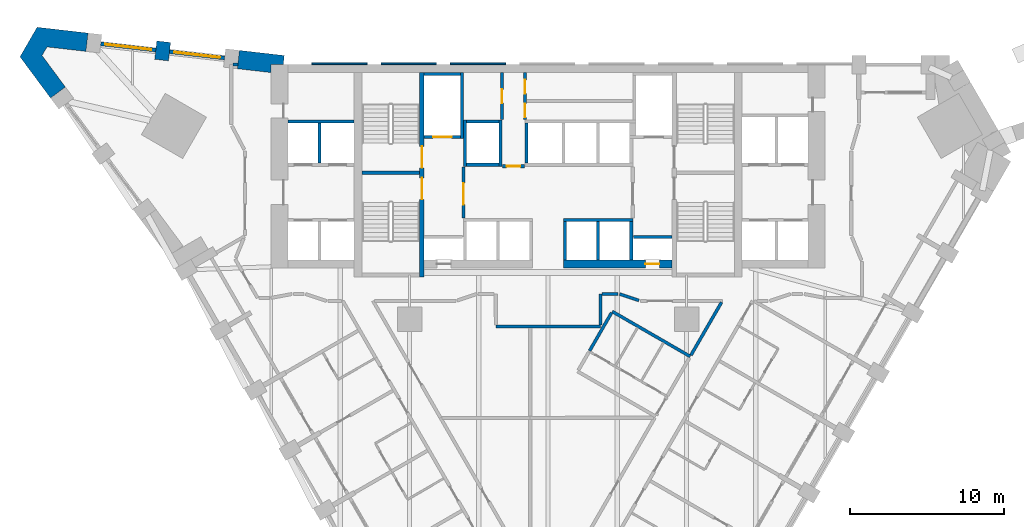
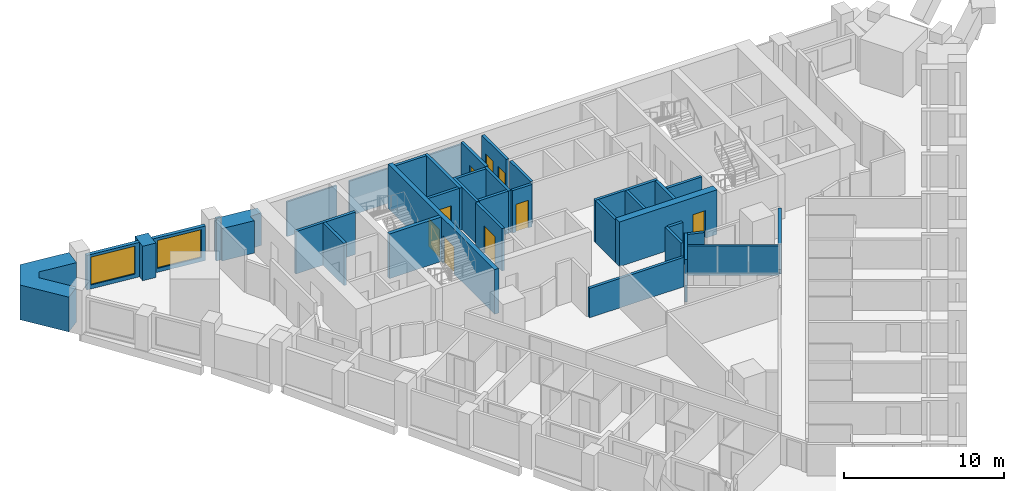
# One storey, part 8 of 12: 38 walls, 9 doors, 2 windows, 11 openings.
"""IFC4 building model written with IfcOpenShell, lengths in metres."""

import ifcopenshell
import ifcopenshell.guid

model = None  # the IFC model being written
_history = None  # IfcOwnerHistory: only IFC2X3 demands one
_inside = {}  # id of a spatial element -> (the spatial element, [elements in it])
_under = {}  # id of a project, library or spatial element -> (it, [spatial elements below it])
_declared = {}  # id of a project -> (the project, [libraries it declares])
_typed = {}  # id of a type object -> (the type object, [elements of that type])
_made_of = {}  # id of a material, layer set ... -> (it, [elements and type objects made of it])


def new_model(schema):
    """Start an empty IFC model of exactly this schema.

    Asked for "IFC4X3", IfcOpenShell would pick the latest addendum, in which some entities
    have other attributes; the version numbers below select the first issue.
    IFC2X3 requires an IfcOwnerHistory on every rooted entity: one is made here for all.
    """
    global model, _history
    if schema == "IFC4X3":
        model = ifcopenshell.file(schema_version=(4, 3, 0, 0))
    else:
        model = ifcopenshell.file(schema=schema)
    _inside.clear()
    _under.clear()
    _declared.clear()
    _typed.clear()
    _made_of.clear()
    _history = None
    if model.schema == "IFC2X3":
        org = make("IfcOrganization", Name="unknown")
        user = make(
            "IfcPersonAndOrganization",
            ThePerson=make("IfcPerson", FamilyName="unknown"),
            TheOrganization=org,
        )
        app = make(
            "IfcApplication",
            ApplicationDeveloper=org,
            Version="unknown",
            ApplicationFullName="unknown",
            ApplicationIdentifier="unknown",
        )
        _history = make(
            "IfcOwnerHistory",
            OwningUser=user,
            OwningApplication=app,
            ChangeAction="ADDED",
            CreationDate=0,
        )
    return model


def make(cls, **values):
    """One entity of the class cls with the attributes given. An attribute that is None is left unset."""
    return model.create_entity(
        cls, **{name: value for name, value in values.items() if value is not None}
    )


def rooted(cls, **values):
    """An entity with a GlobalId (a new one), such as an element, a storey or a relation."""
    return make(cls, GlobalId=ifcopenshell.guid.new(), OwnerHistory=_history, **values)


def si_unit(unit_type, name, prefix=None):
    """IfcSIUnit, for example si_unit("LENGTHUNIT", "METRE", prefix="MILLI")."""
    return make("IfcSIUnit", UnitType=unit_type, Prefix=prefix, Name=name)


def assignment(units):
    """IfcUnitAssignment: the units of a project."""
    return None if units is None else make("IfcUnitAssignment", Units=units)


def point(xyz):
    """IfcCartesianPoint."""
    return None if xyz is None else make("IfcCartesianPoint", Coordinates=xyz)


def direction(xyz):
    """IfcDirection."""
    return None if xyz is None else make("IfcDirection", DirectionRatios=xyz)


def frame(location, z_axis=None, x_axis=None):
    """IfcAxis2Placement3D, a coordinate frame: its origin and axes. An axis left out is left unset."""
    return make(
        "IfcAxis2Placement3D",
        Location=point(location),
        Axis=direction(z_axis),
        RefDirection=direction(x_axis),
    )


def frame_2d(location, x_axis=None):
    """IfcAxis2Placement2D, a coordinate frame in the plane: its origin and x axis."""
    return make(
        "IfcAxis2Placement2D", Location=point(location), RefDirection=direction(x_axis)
    )


def origin():
    """The frame at (0, 0, 0) with its axes left unset."""
    return frame((0.0, 0.0, 0.0))


def place(relative_to, where):
    """IfcLocalPlacement: puts the frame where relative to a parent placement (None: the world)."""
    return make(
        "IfcLocalPlacement", PlacementRelTo=relative_to, RelativePlacement=where
    )


def context(
    kind, dimensions, precision=None, world=None, true_north=None, identifier=None
):
    """IfcGeometricRepresentationContext, for example the 3D "Model" context."""
    return make(
        "IfcGeometricRepresentationContext",
        ContextIdentifier=identifier,
        ContextType=kind,
        CoordinateSpaceDimension=dimensions,
        Precision=precision,
        WorldCoordinateSystem=world,
        TrueNorth=true_north,
    )


def subcontext(parent, identifier, kind, view, scale=None):
    """IfcGeometricRepresentationSubContext, for example "Body" below "Model"."""
    return make(
        "IfcGeometricRepresentationSubContext",
        ContextIdentifier=identifier,
        ContextType=kind,
        ParentContext=parent,
        TargetScale=scale,
        TargetView=view,
    )


def project(units=None, contexts=None):
    """IfcProject with its units and contexts."""
    return rooted(
        "IfcProject",
        Name="project",
        RepresentationContexts=contexts,
        UnitsInContext=assignment(units),
    )


def spatial(cls, under=None, at=None, **own):
    """A site, building, storey or space (cls), placed at a placement, below another one or the project."""
    s = rooted(cls, ObjectPlacement=at, **own)
    if under is not None:
        _under.setdefault(under.id(), (under, []))[1].append(s)
    return s


def polyline(points):
    """IfcPolyline through the points."""
    return make("IfcPolyline", Points=[point(p) for p in points])


def profile(cls, at=None, kind="AREA", **sizes):
    """A parametric profile (cls). Its sizes go by their IFC names, for example OverallWidth=200.0."""
    return make(cls, ProfileType=kind, Position=at, **sizes)


def rectangle(**sizes):
    """IfcRectangleProfileDef."""
    return profile("IfcRectangleProfileDef", **sizes)


def outline(outer, holes=None, kind="AREA"):
    """IfcArbitraryClosedProfileDef: a profile drawn as a closed curve; with holes, ...WithVoids."""
    if holes is None:
        return make("IfcArbitraryClosedProfileDef", ProfileType=kind, OuterCurve=outer)
    return make(
        "IfcArbitraryProfileDefWithVoids",
        ProfileType=kind,
        OuterCurve=outer,
        InnerCurves=holes,
    )


def extrude(swept, where, along, depth):
    """IfcExtrudedAreaSolid: the profile swept, set in the frame where, extruded along a direction by depth."""
    return make(
        "IfcExtrudedAreaSolid",
        SweptArea=swept,
        Position=where,
        ExtrudedDirection=direction(along),
        Depth=depth,
    )


def shape(context_of_items, identifier, shape_type, items):
    """IfcShapeRepresentation: the items that make up one representation, for example the "Body"."""
    return make(
        "IfcShapeRepresentation",
        ContextOfItems=context_of_items,
        RepresentationIdentifier=identifier,
        RepresentationType=shape_type,
        Items=items,
    )


def material(Name=None, Category=None):
    """IfcMaterial."""
    return make("IfcMaterial", Name=Name, Category=Category)


def layer(
    of_material, thickness, ventilated=None, Name=None, Category=None, Priority=None
):
    """IfcMaterialLayer: one layer of a wall or slab, of a material (None: an air gap)."""
    return make(
        "IfcMaterialLayer",
        Material=of_material,
        LayerThickness=thickness,
        IsVentilated=ventilated,
        Name=Name,
        Category=Category,
        Priority=Priority,
    )


def layer_set(layers, Name=None):
    """IfcMaterialLayerSet."""
    return make("IfcMaterialLayerSet", MaterialLayers=layers, LayerSetName=Name)


def made_of(thing, what):
    """Note that an element or type object is made of a material, layer set ...; save() writes the relation."""
    if what is not None:
        _made_of.setdefault(what.id(), (what, []))[1].append(thing)
    return thing


def type_object(cls, material=None, **own):
    """A type object (cls), such as IfcWallType, which elements share."""
    return made_of(rooted(cls, **own), material)


def element(
    cls,
    number,
    at=None,
    inside=None,
    cuts=None,
    type_object=None,
    material=None,
    context=None,
    identifier="Body",
    shape_type=None,
    held_by="IfcProductDefinitionShape",
    body=None,
    shapes=None,
    **own,
):
    """One element of the class cls, such as IfcWall. Its Tag is "e" and its number.

    at: its placement. inside: the storey or other place that contains it. cuts: it is an
    opening in that element (IfcRelVoidsElement). A single representation is given by context,
    identifier, shape_type and body (its items); several are given by shapes. held_by: the class
    of the entity that holds the representations. save() writes the other relations.
    """
    e = rooted(cls, Tag="e%d" % number, ObjectPlacement=at, **own)
    if body is not None:
        shapes = [shape(context, identifier, shape_type, body)]
    if shapes is not None:
        e.Representation = make(held_by, Representations=shapes)
    if inside is not None:
        _inside.setdefault(inside.id(), (inside, []))[1].append(e)
    if cuts is not None:
        rooted(
            "IfcRelVoidsElement", RelatingBuildingElement=cuts, RelatedOpeningElement=e
        )
    if type_object is not None:
        _typed.setdefault(type_object.id(), (type_object, []))[1].append(e)
    return made_of(e, material)


def fill(opening, filler):
    """IfcRelFillsElement: the door or window that sits in an opening."""
    return rooted(
        "IfcRelFillsElement",
        RelatingOpeningElement=opening,
        RelatedBuildingElement=filler,
    )


def aggregate(whole, parts):
    """IfcRelAggregates: a whole, such as a stair, and the parts it consists of."""
    return rooted("IfcRelAggregates", RelatingObject=whole, RelatedObjects=parts)


def save(model, path):
    """Write the relations noted so far, then the file.

    IfcRelAggregates (storeys below a building ...), IfcRelContainedInSpatialStructure (elements
    in a storey), IfcRelDefinesByType, IfcRelAssociatesMaterial and IfcRelDeclares: one each for
    every whole, place, type object, material and project.
    """
    for whole, parts in _under.values():
        aggregate(whole, parts)
    for where, things in _inside.values():
        rooted(
            "IfcRelContainedInSpatialStructure",
            RelatedElements=things,
            RelatingStructure=where,
        )
    for kind, things in _typed.values():
        rooted("IfcRelDefinesByType", RelatedObjects=things, RelatingType=kind)
    for what, things in _made_of.values():
        rooted("IfcRelAssociatesMaterial", RelatedObjects=things, RelatingMaterial=what)
    for by, libraries in _declared.values():
        rooted("IfcRelDeclares", RelatingContext=by, RelatedDefinitions=libraries)
    model.write(path)


model = new_model("IFC4")

# Units and contexts
model_context = context("Model", 3, precision=1e-05, world=origin(), true_north=direction((0.0, 1.0)))
body_context = subcontext(model_context, "Body", "Model", "MODEL_VIEW")
ifc_project = project(units=[si_unit("LENGTHUNIT", "METRE"), si_unit("AREAUNIT", "SQUARE_METRE"), si_unit("VOLUMEUNIT", "CUBIC_METRE"), si_unit("PLANEANGLEUNIT", "RADIAN"), si_unit("MASSUNIT", "GRAM", prefix="KILO")], contexts=[model_context])

# Site, building, storey
site_placement = place(None, origin())
site = spatial("IfcSite", under=ifc_project, at=site_placement, CompositionType="ELEMENT")
building_placement = place(site_placement, origin())
building = spatial("IfcBuilding", under=site, at=building_placement, Name="Calabash Gate Tower", CompositionType="ELEMENT")
storey_placement = place(building_placement, frame((0.0, 0.0, 83.39990234375)))
storey = spatial("IfcBuildingStorey", under=building, at=storey_placement, Name="L17", CompositionType="ELEMENT", Elevation=83.39990234375)

# Walls
ifc_material_1 = material(Name="Terracotta brick masonry, exposed face", Category="masonry")
ifc_layer_1 = layer(ifc_material_1, 1.199951171875)
ifc_layer_set_1 = layer_set([ifc_layer_1], Name="Brick end wall 1200")
wall_type_1 = type_object("IfcWallType", Name="Brick end wall 1200", PredefinedType="SOLIDWALL", material=ifc_layer_set_1)
wall_1_placement = place(storey_placement, frame((-25.1162109375, 19.35400390625, 0.0), z_axis=(0.0, 0.0, 1.0), x_axis=(0.113735952551, 0.993511013073, 0.0)))
element("IfcWall", 1, at=wall_1_placement, inside=storey, type_object=wall_type_1, Name="Brick pier S04 wedge5.1", PredefinedType="SOLIDWALL", context=body_context, shape_type="SweptSolid", body=[
    extrude(rectangle(XDim=1.199951171875, YDim=0.89990234375, at=frame_2d((0.60009765625, 0.0))), origin(), (0.0, 0.0, 1.0), 2.630126953125),
])
wall_2_placement = place(storey_placement, origin())
element("IfcWall", 2, at=wall_2_placement, inside=storey, type_object=wall_type_1, Name="Brick end wall S04 1", PredefinedType="SOLIDWALL", context=body_context, shape_type="SweptSolid", body=[
    extrude(outline(polyline([(-20.061767578125, 19.98291015625), (-20.1982421875, 18.790771484375), (-18.0, 18.5390625), (-18.0, 19.052490234375), (-17.2099609375, 19.052490234375), (-17.141845703125, 19.648681640625), (-20.061767578125, 19.983154296875), (-20.061767578125, 19.98291015625), (-20.061767578125, 19.98291015625)])), origin(), (0.0, 0.0, 1.0), 2.4736328125),
])
wall_3_placement = place(storey_placement, origin())
element("IfcWall", 3, at=wall_3_placement, inside=storey, type_object=wall_type_1, Name="Brick end wall S04 2", PredefinedType="SOLIDWALL", context=body_context, shape_type="SweptSolid", body=[
    extrude(outline(polyline([(-29.897705078125, 21.109375), (-33.208740234375, 21.48876953125), (-34.319091796875, 19.5654296875), (-32.335205078125, 16.887451171875), (-31.370849609375, 17.601806640625), (-32.88623046875, 19.647216796875), (-32.56298828125, 20.206787109375), (-30.034423828125, 19.917236328125), (-29.897705078125, 21.109375)])), origin(), (0.0, 0.0, 1.0), 2.650146484375),
])
ifc_material_2 = material(Name="Concrete C80/95", Category="concrete")
ifc_layer_2 = layer(ifc_material_2, 0.25)
ifc_layer_set_2 = layer_set([ifc_layer_2], Name="Core wall 250 Concrete C80/95")
wall_type_2 = type_object("IfcWallType", Name="Core wall 250 Concrete C80/95", PredefinedType="SHEAR", material=ifc_layer_set_2)
wall_4_placement = place(storey_placement, frame((-12.10009765625, 12.027587890625, 0.0), z_axis=(0.0, 0.0, 1.0), x_axis=(1.0, 0.0, 0.0)))
element("IfcWall", 4, at=wall_4_placement, inside=storey, type_object=wall_type_2, Name="Core wall Z1-MIDW L17", PredefinedType="SHEAR", context=body_context, shape_type="SweptSolid", body=[
    extrude(rectangle(XDim=3.75, YDim=0.25, at=frame_2d((1.875, 0.0))), origin(), (0.0, 0.0, 1.0), 3.400146484375),
])

# Wall, openings, doors
ifc_material_3 = material(Name="Concrete C80/95", Category="concrete")
ifc_layer_3 = layer(ifc_material_3, 0.300048828125)
ifc_layer_set_3 = layer_set([ifc_layer_3], Name="Core wall 300 Concrete C80/95")
wall_type_3 = type_object("IfcWallType", Name="Core wall 300 Concrete C80/95", PredefinedType="SHEAR", material=ifc_layer_set_3)
wall_5_placement = place(storey_placement, frame((-8.199951171875, 5.252685546875, 0.0), z_axis=(0.0, 0.0, 1.0), x_axis=(0.0, 1.0, 0.0)))
wall_5 = element("IfcWall", 5, at=wall_5_placement, inside=storey, type_object=wall_type_3, Name="Core wall Z1-PARTW L17", PredefinedType="SHEAR", context=body_context, shape_type="SweptSolid", body=[
    extrude(rectangle(XDim=13.2998046875, YDim=0.300048828125, at=frame_2d((6.64990234375, 0.0))), origin(), (0.0, 0.0, 1.0), 3.400146484375),
])
opening_1_placement = place(wall_5_placement, frame((7.10009765625, 0.0, 0.0)))
opening_1 = element("IfcOpeningElement", 6, at=opening_1_placement, cuts=wall_5, Name="Opening H4-013", PredefinedType="OPENING", context=body_context, shape_type="SweptSolid", body=[
    extrude(rectangle(XDim=1.39990234375, YDim=2.10009765625, at=frame_2d((0.699951171875, 1.050048828125))), frame((0.0, 0.159912109375, 0.0), z_axis=(0.0, -1.0, 0.0), x_axis=(1.0, 0.0, 0.0)), (0.0, 0.0, 1.0), 0.320068359375),
])
opening_2_placement = place(wall_5_placement, frame((5.050048828125, 0.0, 0.0)))
opening_2 = element("IfcOpeningElement", 7, at=opening_2_placement, cuts=wall_5, Name="Opening H4-014", PredefinedType="OPENING", context=body_context, shape_type="SweptSolid", body=[
    extrude(rectangle(XDim=1.39990234375, YDim=2.10009765625, at=frame_2d((0.699951171875, 1.050048828125))), frame((0.0, 0.159912109375, 0.0), z_axis=(0.0, -1.0, 0.0), x_axis=(1.0, 0.0, 0.0)), (0.0, 0.0, 1.0), 0.320068359375),
])
ifc_material_4 = material(Name="Steel fire door set with fire-resisting glazing", Category="steel")
door_type_1 = type_object("IfcDoorType", Name="Fire door D05 1400x2100 FD90", OperationType="NOTDEFINED", PredefinedType="DOOR", material=ifc_material_4)
door_1_placement = place(opening_1_placement, origin())
door_1 = element("IfcDoor", 8, at=door_1_placement, inside=storey, type_object=door_type_1, Name="Exit stair door ST1", OperationType="SINGLE_SWING_LEFT", OverallHeight=2.10009765625, OverallWidth=1.39990234375, PredefinedType="DOOR", context=body_context, shape_type="SweptSolid", body=[
    extrude(rectangle(XDim=1.39990234375, YDim=2.10009765625, at=frame_2d((0.699951171875, 1.050048828125))), frame((0.0, 0.02490234375, 0.0), z_axis=(0.0, -1.0, 0.0), x_axis=(1.0, 0.0, 0.0)), (0.0, 0.0, 1.0), 0.050048828125),
])
fill(opening_1, door_1)
door_2_placement = place(opening_2_placement, origin())
door_2 = element("IfcDoor", 9, at=door_2_placement, inside=storey, type_object=door_type_1, Name="Exit stair door ST2", OperationType="SINGLE_SWING_LEFT", OverallHeight=2.10009765625, OverallWidth=1.39990234375, PredefinedType="DOOR", context=body_context, shape_type="SweptSolid", body=[
    extrude(rectangle(XDim=1.39990234375, YDim=2.10009765625, at=frame_2d((0.699951171875, 1.050048828125))), frame((0.0, 0.02490234375, 0.0), z_axis=(0.0, -1.0, 0.0), x_axis=(1.0, 0.0, 0.0)), (0.0, 0.0, 1.0), 0.050048828125),
])
fill(opening_2, door_2)

# Wall, opening, door
ifc_material_5 = material(Name="Concrete C80/95", Category="concrete")
ifc_layer_4 = layer(ifc_material_5, 0.5)
ifc_layer_set_4 = layer_set([ifc_layer_4], Name="Core wall 500 Concrete C80/95")
wall_type_4 = type_object("IfcWallType", Name="Core wall 500 Concrete C80/95", PredefinedType="SHEAR", material=ifc_layer_set_4)
wall_6_placement = place(storey_placement, frame((1.0, 6.1025390625, 0.0), z_axis=(0.0, 0.0, 1.0), x_axis=(1.0, 0.0, 0.0)))
wall_6 = element("IfcWall", 10, at=wall_6_placement, inside=storey, type_object=wall_type_4, Name="Core wall Z1-SB L17", PredefinedType="SHEAR", context=body_context, shape_type="SweptSolid", body=[
    extrude(rectangle(XDim=7.050048828125, YDim=0.5, at=frame_2d((3.52490234375, 0.0))), origin(), (0.0, 0.0, 1.0), 3.400146484375),
])
opening_3_placement = place(wall_6_placement, frame((5.324951171875, 0.0, 0.0)))
opening_3 = element("IfcOpeningElement", 11, at=opening_3_placement, cuts=wall_6, Name="Opening H4-011", PredefinedType="OPENING", context=body_context, shape_type="SweptSolid", body=[
    extrude(rectangle(XDim=0.89990234375, YDim=2.10009765625, at=frame_2d((0.449951171875, 1.050048828125))), frame((0.0, 0.260009765625, 0.0), z_axis=(0.0, -1.0, 0.0), x_axis=(1.0, 0.0, 0.0)), (0.0, 0.0, 1.0), 0.52001953125),
])
ifc_material_6 = material(Name="Steel fire door set with fire-resisting glazing", Category="steel")
door_type_2 = type_object("IfcDoorType", Name="Fire door D07 900x2100 FD90", OperationType="NOTDEFINED", PredefinedType="DOOR", material=ifc_material_6)
door_3_placement = place(opening_3_placement, origin())
door_3 = element("IfcDoor", 12, at=door_3_placement, inside=storey, type_object=door_type_2, Name="Mechanical Riser E door", OperationType="SINGLE_SWING_RIGHT", OverallHeight=2.10009765625, OverallWidth=0.89990234375, PredefinedType="DOOR", context=body_context, shape_type="SweptSolid", body=[
    extrude(rectangle(XDim=0.89990234375, YDim=2.10009765625, at=frame_2d((0.449951171875, 1.050048828125))), frame((0.0, 0.02490234375, 0.0), z_axis=(0.0, -1.0, 0.0), x_axis=(1.0, 0.0, 0.0)), (0.0, 0.0, 1.0), 0.050048828125),
])
fill(opening_3, door_3)

# Walls
ifc_material_7 = material(Name="Gypsum board on steel studs, mineral wool", Category="steel")
ifc_layer_5 = layer(ifc_material_7, 0.199951171875)
ifc_layer_set_5 = layer_set([ifc_layer_5], Name="Partition 200 gypsum board EI 60")
wall_type_5 = type_object("IfcWallType", Name="Partition 200 gypsum board EI 60", PredefinedType="PARTITIONING", material=ifc_layer_set_5)
wall_7_placement = place(storey_placement, frame((4.169189453125, 3.016357421875, 0.0), z_axis=(0.0, 0.0, 1.0), x_axis=(0.866018092707, -0.500012662943, 0.0)))
element("IfcWall", 13, at=wall_7_placement, inside=storey, type_object=wall_type_5, Name="Partition", PredefinedType="PARTITIONING", context=body_context, shape_type="SweptSolid", body=[
    extrude(rectangle(XDim=5.849853515625, YDim=0.199951171875, at=frame_2d((2.9248046875, 0.0))), origin(), (0.0, 0.0, 1.0), 2.24169921875),
])
wall_8_placement = place(storey_placement, frame((-3.400146484375, 2.052490234375, 0.0), z_axis=(0.0, 0.0, 1.0), x_axis=(0.999999659082, -0.000825733904, 0.0)))
element("IfcWall", 14, at=wall_8_placement, inside=storey, type_object=wall_type_5, Name="Partition", PredefinedType="PARTITIONING", context=body_context, shape_type="SweptSolid", body=[
    extrude(rectangle(XDim=6.80029296875, YDim=0.199951171875, at=frame_2d((3.400146484375, 0.0))), origin(), (0.0, 0.0, 1.0), 2.24169921875),
])
wall_9_placement = place(storey_placement, frame((3.400146484375, 2.15234375, 0.0), z_axis=(0.0, 0.0, 1.0), x_axis=(0.000977397212, 0.999999522347, 0.0)))
element("IfcWall", 15, at=wall_9_placement, inside=storey, type_object=wall_type_5, Name="Partition", PredefinedType="PARTITIONING", context=body_context, shape_type="SweptSolid", body=[
    extrude(rectangle(XDim=1.998291015625, YDim=0.199951171875, at=frame_2d((0.9990234375, 0.0))), origin(), (0.0, 0.0, 1.0), 3.22998046875),
])
wall_10_placement = place(storey_placement, frame((2.69580078125, 0.460693359375, 0.0), z_axis=(0.0, 0.0, 1.0), x_axis=(0.499502432077, 0.866312484239, 0.0)))
element("IfcWall", 16, at=wall_10_placement, inside=storey, type_object=wall_type_5, Name="Partition", PredefinedType="PARTITIONING", context=body_context, shape_type="SweptSolid", body=[
    extrude(rectangle(XDim=2.85009765625, YDim=0.199951171875, at=frame_2d((1.425048828125, 0.0))), origin(), (0.0, 0.0, 1.0), 3.22998046875),
])
wall_11_placement = place(storey_placement, frame((9.283935546875, 0.17919921875, 0.0), z_axis=(0.0, 0.0, 1.0), x_axis=(0.500368865734, 0.865812334287, 0.0)))
element("IfcWall", 17, at=wall_11_placement, inside=storey, type_object=wall_type_5, Name="Partition", PredefinedType="PARTITIONING", context=body_context, shape_type="SweptSolid", body=[
    extrude(rectangle(XDim=3.96630859375, YDim=0.199951171875, at=frame_2d((1.983154296875, 0.0))), origin(), (0.0, 0.0, 1.0), 2.24169921875),
])
wall_12_placement = place(storey_placement, frame((3.501953125, 4.150634765625, 0.0), z_axis=(0.0, 0.0, 1.0), x_axis=(0.9999990086, 0.001408118764, 0.0)))
element("IfcWall", 18, at=wall_12_placement, inside=storey, type_object=wall_type_5, Name="Partition", PredefinedType="PARTITIONING", context=body_context, shape_type="SweptSolid", body=[
    extrude(rectangle(XDim=1.040283203125, YDim=0.199951171875, at=frame_2d((0.52001953125, 0.0))), origin(), (0.0, 0.0, 1.0), 3.22998046875),
])
wall_13_placement = place(storey_placement, frame((4.642333984375, 4.15234375, 0.0), z_axis=(0.0, 0.0, 1.0), x_axis=(0.948683298051, -0.316227766017, 0.0)))
element("IfcWall", 19, at=wall_13_placement, inside=storey, type_object=wall_type_5, Name="Partition", PredefinedType="PARTITIONING", context=body_context, shape_type="SweptSolid", body=[
    extrude(rectangle(XDim=1.3310546875, YDim=0.199951171875, at=frame_2d((0.66552734375, 0.0))), origin(), (0.0, 0.0, 1.0), 2.24169921875),
])
wall_14_placement = place(storey_placement, frame((-20.489013671875, 19.052490234375, 0.0), z_axis=(0.0, 0.0, 1.0), x_axis=(0.999999710413, 0.000761034787, 0.0)))
element("IfcWall", 20, at=wall_14_placement, inside=storey, type_object=wall_type_5, Name="Partition", PredefinedType="PARTITIONING", context=body_context, shape_type="SweptSolid", body=[
    extrude(rectangle(XDim=0.32080078125, YDim=0.199951171875, at=frame_2d((0.160400390625, 0.0))), origin(), (0.0, 0.0, 1.0), 3.22998046875),
])

# Wall, opening, window
ifc_material_8 = material(Name="Aluminium framed window wall with insulated spandrel", Category="aluminium")
ifc_layer_6 = layer(ifc_material_8, 0.25)
ifc_layer_set_6 = layer_set([ifc_layer_6], Name="Prow window wall 250")
wall_type_6 = type_object("IfcWallType", Name="Prow window wall 250", PredefinedType="ELEMENTEDWALL", material=ifc_layer_set_6)
wall_15_placement = place(storey_placement, frame((-21.024169921875, 19.4892578125, 0.0), z_axis=(0.0, 0.0, 1.0), x_axis=(-0.993504225498, 0.113795228013, 0.0)))
wall_15 = element("IfcWall", 21, at=wall_15_placement, inside=storey, type_object=wall_type_6, Name="Prow window wall S04 wedge5.1", PredefinedType="ELEMENTEDWALL", context=body_context, shape_type="SweptSolid", body=[
    extrude(rectangle(XDim=3.60009765625, YDim=0.25, at=frame_2d((1.800048828125, 0.0))), origin(), (0.0, 0.0, 1.0), 2.630126953125),
])
opening_4_placement = place(wall_15_placement, frame((0.300048828125, 0.0, 0.300048828125)))
opening_4 = element("IfcOpeningElement", 22, at=opening_4_placement, cuts=wall_15, Name="Opening WP1L-2130", PredefinedType="OPENING", context=body_context, shape_type="SweptSolid", body=[
    extrude(rectangle(XDim=3.0, YDim=2.1298828125, at=frame_2d((1.5, 1.06494140625))), frame((0.0, 0.135009765625, 0.0), z_axis=(0.0, -1.0, 0.0), x_axis=(1.0, 0.0, 0.0)), (0.0, 0.0, 1.0), 0.27001953125),
])
ifc_material_9 = material(Name="Anodised aluminium frame, bronze finish, impact-rated laminated clear glazing", Category="aluminium")
window_type = type_object("IfcWindowType", Name="Window WP1L 3000x2130", PartitioningType="DOUBLE_PANEL_VERTICAL", PredefinedType="WINDOW", material=ifc_material_9)
window_1_placement = place(opening_4_placement, origin())
window_1 = element("IfcWindow", 23, at=window_1_placement, inside=storey, type_object=window_type, Name="Prow window WP1L S04 wedge5.1", OverallHeight=2.1298828125, OverallWidth=3.0, PartitioningType="SINGLE_PANEL", PredefinedType="WINDOW", context=body_context, shape_type="SweptSolid", body=[
    extrude(rectangle(XDim=3.0, YDim=2.1298828125, at=frame_2d((1.5, 1.06494140625))), frame((0.0, 0.030029296875, 0.0), z_axis=(0.0, -1.0, 0.0), x_axis=(1.0, 0.0, 0.0)), (0.0, 0.0, 1.0), 0.06005859375),
])
fill(opening_4, window_1)

wall_16_placement = place(storey_placement, frame((-25.4951171875, 20.00146484375, 0.0), z_axis=(0.0, 0.0, 1.0), x_axis=(-0.993511890309, 0.113728289423, 0.0)))
wall_16 = element("IfcWall", 24, at=wall_16_placement, inside=storey, type_object=wall_type_6, Name="Prow window wall S04 wedge5.2", PredefinedType="ELEMENTEDWALL", context=body_context, shape_type="SweptSolid", body=[
    extrude(rectangle(XDim=3.60009765625, YDim=0.25, at=frame_2d((1.800048828125, 0.0))), origin(), (0.0, 0.0, 1.0), 2.630126953125),
])
opening_5_placement = place(wall_16_placement, frame((0.300048828125, 0.0, 0.300048828125)))
opening_5 = element("IfcOpeningElement", 25, at=opening_5_placement, cuts=wall_16, Name="Opening WP1L-2130", PredefinedType="OPENING", context=body_context, shape_type="SweptSolid", body=[
    extrude(rectangle(XDim=3.0, YDim=2.1298828125, at=frame_2d((1.5, 1.06494140625))), frame((0.0, 0.135009765625, 0.0), z_axis=(0.0, -1.0, 0.0), x_axis=(1.0, 0.0, 0.0)), (0.0, 0.0, 1.0), 0.27001953125),
])
window_2_placement = place(opening_5_placement, origin())
window_2 = element("IfcWindow", 26, at=window_2_placement, inside=storey, type_object=window_type, Name="Prow window WP1L S04 wedge5.2", OverallHeight=2.1298828125, OverallWidth=3.0, PartitioningType="SINGLE_PANEL", PredefinedType="WINDOW", context=body_context, shape_type="SweptSolid", body=[
    extrude(rectangle(XDim=3.0, YDim=2.1298828125, at=frame_2d((1.5, 1.06494140625))), frame((0.0, 0.030029296875, 0.0), z_axis=(0.0, -1.0, 0.0), x_axis=(1.0, 0.0, 0.0)), (0.0, 0.0, 1.0), 0.06005859375),
])
fill(opening_5, window_2)

# Walls
ifc_material_10 = material(Name="Concrete C40/50", Category="concrete")
ifc_layer_7 = layer(ifc_material_10, 0.199951171875)
ifc_layer_set_7 = layer_set([ifc_layer_7], Name="Shaft wall 200 Concrete C40/50")
wall_type_7 = type_object("IfcWallType", Name="Shaft wall 200 Concrete C40/50", PredefinedType="SOLIDWALL", material=ifc_layer_set_7)
for number, where, z_axis, x_axis, name in (
    (27, (1.10009765625, 6.3525390625, 0.0), (0.0, 0.0, 1.0), (0.0, 1.0, 0.0), "Shaft wall"),
    (28, (3.25, 6.3525390625, 0.0), (0.0, 0.0, 1.0), (0.0, 1.0, 0.0), "Shaft wall"),
    (29, (5.39990234375, 6.3525390625, 0.0), (0.0, 0.0, 1.0), (0.0, 1.0, 0.0), "Shaft wall"),
    (30, (5.550048828125, 7.8525390625, 0.0), (0.0, 0.0, 1.0), (1.0, 0.0, 0.0), "Shaft wall"),
):
    element("IfcWall", number, at=place(storey_placement, frame(where, z_axis=z_axis, x_axis=x_axis)), inside=storey, type_object=wall_type_7, Name=name, PredefinedType="SOLIDWALL", context=body_context, shape_type="SweptSolid", body=[
        extrude(rectangle(XDim=2.5, YDim=0.199951171875, at=frame_2d((1.25, 0.0))), origin(), (0.0, 0.0, 1.0), 3.22998046875),
    ])
wall_17_placement = place(storey_placement, frame((1.0, 8.95263671875, 0.0), z_axis=(0.0, 0.0, 1.0), x_axis=(1.0, 0.0, 0.0)))
element("IfcWall", 31, at=wall_17_placement, inside=storey, type_object=wall_type_7, Name="Shaft wall", PredefinedType="SOLIDWALL", context=body_context, shape_type="SweptSolid", body=[
    extrude(rectangle(XDim=4.5, YDim=0.199951171875, at=frame_2d((2.25, 0.0))), origin(), (0.0, 0.0, 1.0), 3.22998046875),
])

# Wall, opening, door
wall_18_placement = place(storey_placement, frame((-5.5, 9.1025390625, 0.0), z_axis=(0.0, 0.0, 1.0), x_axis=(0.0, 1.0, 0.0)))
wall_18 = element("IfcWall", 32, at=wall_18_placement, inside=storey, type_object=wall_type_7, Name="Shaft wall", PredefinedType="SOLIDWALL", context=body_context, shape_type="SweptSolid", body=[
    extrude(rectangle(XDim=3.300048828125, YDim=0.199951171875, at=frame_2d((1.64990234375, 0.0))), origin(), (0.0, 0.0, 1.0), 3.22998046875),
])
opening_6_placement = place(wall_18_placement, frame((0.85009765625, 0.0, 0.0)))
opening_6 = element("IfcOpeningElement", 33, at=opening_6_placement, cuts=wall_18, Name="Opening H4-007", PredefinedType="OPENING", context=body_context, shape_type="SweptSolid", body=[
    extrude(rectangle(XDim=1.39990234375, YDim=2.10009765625, at=frame_2d((0.699951171875, 1.050048828125))), frame((0.0, 0.10986328125, 0.0), z_axis=(0.0, -1.0, 0.0), x_axis=(1.0, 0.0, 0.0)), (0.0, 0.0, 1.0), 0.219970703125),
])
door_4_placement = place(opening_6_placement, origin())
door_4 = element("IfcDoor", 34, at=door_4_placement, inside=storey, type_object=door_type_1, Name="Firefighting Lobby W door", OperationType="SINGLE_SWING_RIGHT", OverallHeight=2.10009765625, OverallWidth=1.39990234375, PredefinedType="DOOR", context=body_context, shape_type="SweptSolid", body=[
    extrude(rectangle(XDim=1.39990234375, YDim=2.10009765625, at=frame_2d((0.699951171875, 1.050048828125))), frame((0.0, 0.02490234375, 0.0), z_axis=(0.0, -1.0, 0.0), x_axis=(1.0, 0.0, 0.0)), (0.0, 0.0, 1.0), 0.050048828125),
])
fill(opening_6, door_4)

wall_19_placement = place(storey_placement, frame((-2.949951171875, 12.45263671875, 0.0), z_axis=(0.0, 0.0, 1.0), x_axis=(1.0, 0.0, 0.0)))
wall_19 = element("IfcWall", 35, at=wall_19_placement, inside=storey, type_object=wall_type_7, Name="Shaft wall", PredefinedType="SOLIDWALL", context=body_context, shape_type="SweptSolid", body=[
    extrude(rectangle(XDim=1.39990234375, YDim=0.199951171875, at=frame_2d((0.699951171875, 0.0))), origin(), (0.0, 0.0, 1.0), 3.22998046875),
])
opening_7_placement = place(wall_19_placement, frame((0.25, 0.0, 0.0)))
opening_7 = element("IfcOpeningElement", 36, at=opening_7_placement, cuts=wall_19, Name="Opening H4-005", PredefinedType="OPENING", context=body_context, shape_type="SweptSolid", body=[
    extrude(rectangle(XDim=0.89990234375, YDim=2.10009765625, at=frame_2d((0.449951171875, 1.050048828125))), frame((0.0, 0.10986328125, 0.0), z_axis=(0.0, -1.0, 0.0), x_axis=(1.0, 0.0, 0.0)), (0.0, 0.0, 1.0), 0.219970703125),
])
ifc_material_11 = material(Name="Steel fire door set with fire-resisting glazing", Category="steel")
door_type_3 = type_object("IfcDoorType", Name="Fire door D06 900x2100 FD60", OperationType="NOTDEFINED", PredefinedType="DOOR", material=ifc_material_11)
door_5_placement = place(opening_7_placement, origin())
door_5 = element("IfcDoor", 37, at=door_5_placement, inside=storey, type_object=door_type_3, Name="Service Corridor door", OperationType="SINGLE_SWING_RIGHT", OverallHeight=2.10009765625, OverallWidth=0.89990234375, PredefinedType="DOOR", context=body_context, shape_type="SweptSolid", body=[
    extrude(rectangle(XDim=0.89990234375, YDim=2.10009765625, at=frame_2d((0.449951171875, 1.050048828125))), frame((0.0, 0.02490234375, 0.0), z_axis=(0.0, -1.0, 0.0), x_axis=(1.0, 0.0, 0.0)), (0.0, 0.0, 1.0), 0.050048828125),
])
fill(opening_7, door_5)

# Walls
wall_20_placement = place(storey_placement, frame((-5.39990234375, 12.45263671875, 0.0), z_axis=(0.0, 0.0, 1.0), x_axis=(0.0, 1.0, 0.0)))
element("IfcWall", 38, at=wall_20_placement, inside=storey, type_object=wall_type_7, Name="Shaft wall", PredefinedType="SOLIDWALL", context=body_context, shape_type="SweptSolid", body=[
    extrude(rectangle(XDim=3.0, YDim=0.199951171875, at=frame_2d((1.5, 0.0))), origin(), (0.0, 0.0, 1.0), 3.22998046875),
])
wall_21_placement = place(storey_placement, frame((-5.300048828125, 12.552490234375, 0.0), z_axis=(0.0, 0.0, 1.0), x_axis=(1.0, 0.0, 0.0)))
element("IfcWall", 39, at=wall_21_placement, inside=storey, type_object=wall_type_7, Name="Shaft wall", PredefinedType="SOLIDWALL", context=body_context, shape_type="SweptSolid", body=[
    extrude(rectangle(XDim=2.10009765625, YDim=0.199951171875, at=frame_2d((1.050048828125, 0.0))), origin(), (0.0, 0.0, 1.0), 3.22998046875),
])
wall_22_placement = place(storey_placement, frame((-3.10009765625, 12.45263671875, 0.0), z_axis=(0.0, 0.0, 1.0), x_axis=(0.0, 1.0, 0.0)))
element("IfcWall", 40, at=wall_22_placement, inside=storey, type_object=wall_type_7, Name="Shaft wall", PredefinedType="SOLIDWALL", context=body_context, shape_type="SweptSolid", body=[
    extrude(rectangle(XDim=3.0, YDim=0.199951171875, at=frame_2d((1.5, 0.0))), origin(), (0.0, 0.0, 1.0), 3.22998046875),
])
for number, where, z_axis, x_axis, name in (
    (41, (-14.85009765625, 12.652587890625, 0.0), (0.0, 0.0, 1.0), (0.0, 1.0, 0.0), "Shaft wall"),
    (42, (-1.39990234375, 12.652587890625, 0.0), (0.0, 0.0, 1.0), (0.0, 1.0, 0.0), "Shaft wall"),
):
    element("IfcWall", number, at=place(storey_placement, frame(where, z_axis=z_axis, x_axis=x_axis)), inside=storey, type_object=wall_type_7, Name=name, PredefinedType="SOLIDWALL", context=body_context, shape_type="SweptSolid", body=[
        extrude(rectangle(XDim=2.60009765625, YDim=0.199951171875, at=frame_2d((1.300048828125, 0.0))), origin(), (0.0, 0.0, 1.0), 3.22998046875),
    ])

# Wall, opening, door
wall_23_placement = place(storey_placement, frame((-8.050048828125, 14.3525390625, 0.0), z_axis=(0.0, 0.0, 1.0), x_axis=(1.0, 0.0, 0.0)))
wall_23 = element("IfcWall", 43, at=wall_23_placement, inside=storey, type_object=wall_type_7, Name="Shaft wall", PredefinedType="SOLIDWALL", context=body_context, shape_type="SweptSolid", body=[
    extrude(rectangle(XDim=2.35009765625, YDim=0.199951171875, at=frame_2d((1.175048828125, 0.0))), origin(), (0.0, 0.0, 1.0), 3.22998046875),
])
opening_8_placement = place(wall_23_placement, frame((0.574951171875, 0.0, 0.0)))
opening_8 = element("IfcOpeningElement", 44, at=opening_8_placement, cuts=wall_23, Name="Opening LD-FF1", PredefinedType="OPENING", context=body_context, shape_type="SweptSolid", body=[
    extrude(rectangle(XDim=1.199951171875, YDim=2.10009765625, at=frame_2d((0.60009765625, 1.050048828125))), frame((0.0, 0.10986328125, 0.0), z_axis=(0.0, -1.0, 0.0), x_axis=(1.0, 0.0, 0.0)), (0.0, 0.0, 1.0), 0.219970703125),
])
ifc_material_12 = material(Name="Stainless steel sliding door leaves", Category="steel")
door_type_4 = type_object("IfcDoorType", Name="Lift landing door LS3 1200x2100 FD90", OperationType="DOUBLE_DOOR_SLIDING", PredefinedType="DOOR", material=ifc_material_12)
door_6_placement = place(opening_8_placement, origin())
door_6 = element("IfcDoor", 45, at=door_6_placement, inside=storey, type_object=door_type_4, Name="Lift landing door FF1", OperationType="DOUBLE_DOOR_SLIDING", OverallHeight=2.10009765625, OverallWidth=1.199951171875, PredefinedType="DOOR", context=body_context, shape_type="SweptSolid", body=[
    extrude(rectangle(XDim=1.199951171875, YDim=2.10009765625, at=frame_2d((0.60009765625, 1.050048828125))), frame((0.0, 0.02490234375, 0.0), z_axis=(0.0, -1.0, 0.0), x_axis=(1.0, 0.0, 0.0)), (0.0, 0.0, 1.0), 0.050048828125),
])
fill(opening_8, door_6)

# Walls
for number, where, z_axis, x_axis, name in (
    (46, (-5.60009765625, 14.252685546875, 0.0), (0.0, 0.0, 1.0), (0.0, 1.0, 0.0), "Shaft wall"),
    (47, (-16.89990234375, 15.3525390625, 0.0), (0.0, 0.0, 1.0), (1.0, 0.0, 0.0), "Shaft wall"),
):
    element("IfcWall", number, at=place(storey_placement, frame(where, z_axis=z_axis, x_axis=x_axis)), inside=storey, type_object=wall_type_7, Name=name, PredefinedType="SOLIDWALL", context=body_context, shape_type="SweptSolid", body=[
        extrude(rectangle(XDim=4.2998046875, YDim=0.199951171875, at=frame_2d((2.14990234375, 0.0))), origin(), (0.0, 0.0, 1.0), 3.22998046875),
    ])
wall_24_placement = place(storey_placement, frame((-5.300048828125, 15.3525390625, 0.0), z_axis=(0.0, 0.0, 1.0), x_axis=(1.0, 0.0, 0.0)))
element("IfcWall", 48, at=wall_24_placement, inside=storey, type_object=wall_type_7, Name="Shaft wall", PredefinedType="SOLIDWALL", context=body_context, shape_type="SweptSolid", body=[
    extrude(rectangle(XDim=2.10009765625, YDim=0.199951171875, at=frame_2d((1.050048828125, 0.0))), origin(), (0.0, 0.0, 1.0), 3.22998046875),
])

# Wall, opening, door
wall_25_placement = place(storey_placement, frame((-3.0, 15.502685546875, 0.0), z_axis=(0.0, 0.0, 1.0), x_axis=(0.0, 1.0, 0.0)))
wall_25 = element("IfcWall", 49, at=wall_25_placement, inside=storey, type_object=wall_type_7, Name="Shaft wall", PredefinedType="SOLIDWALL", context=body_context, shape_type="SweptSolid", body=[
    extrude(rectangle(XDim=3.0498046875, YDim=0.199951171875, at=frame_2d((1.52490234375, 0.0))), origin(), (0.0, 0.0, 1.0), 3.22998046875),
])
opening_9_placement = place(wall_25_placement, frame((1.050048828125, 0.0, 0.0)))
opening_9 = element("IfcOpeningElement", 50, at=opening_9_placement, cuts=wall_25, Name="Opening H4-008", PredefinedType="OPENING", context=body_context, shape_type="SweptSolid", body=[
    extrude(rectangle(XDim=0.89990234375, YDim=2.10009765625, at=frame_2d((0.449951171875, 1.050048828125))), frame((0.0, 0.10986328125, 0.0), z_axis=(0.0, -1.0, 0.0), x_axis=(1.0, 0.0, 0.0)), (0.0, 0.0, 1.0), 0.219970703125),
])
door_7_placement = place(opening_9_placement, origin())
door_7 = element("IfcDoor", 51, at=door_7_placement, inside=storey, type_object=door_type_3, Name="Cleaner's Store door", OperationType="SINGLE_SWING_LEFT", OverallHeight=2.10009765625, OverallWidth=0.89990234375, PredefinedType="DOOR", context=body_context, shape_type="SweptSolid", body=[
    extrude(rectangle(XDim=0.89990234375, YDim=2.10009765625, at=frame_2d((0.449951171875, 1.050048828125))), frame((0.0, 0.02490234375, 0.0), z_axis=(0.0, -1.0, 0.0), x_axis=(1.0, 0.0, 0.0)), (0.0, 0.0, 1.0), 0.050048828125),
])
fill(opening_9, door_7)

# Wall, openings, doors
wall_26_placement = place(storey_placement, frame((-1.5, 15.502685546875, 0.0), z_axis=(0.0, 0.0, 1.0), x_axis=(0.0, 1.0, 0.0)))
wall_26 = element("IfcWall", 52, at=wall_26_placement, inside=storey, type_object=wall_type_7, Name="Shaft wall", PredefinedType="SOLIDWALL", context=body_context, shape_type="SweptSolid", body=[
    extrude(rectangle(XDim=3.0498046875, YDim=0.199951171875, at=frame_2d((1.52490234375, 0.0))), origin(), (0.0, 0.0, 1.0), 3.22998046875),
])
opening_10_placement = place(wall_26_placement, frame((0.1201171875, 0.0, 0.0)))
opening_10 = element("IfcOpeningElement", 53, at=opening_10_placement, cuts=wall_26, Name="Opening H4-009", PredefinedType="OPENING", context=body_context, shape_type="SweptSolid", body=[
    extrude(rectangle(XDim=0.89990234375, YDim=2.10009765625, at=frame_2d((0.449951171875, 1.050048828125))), frame((0.0, 0.10986328125, 0.0), z_axis=(0.0, -1.0, 0.0), x_axis=(1.0, 0.0, 0.0)), (0.0, 0.0, 1.0), 0.219970703125),
])
opening_11_placement = place(wall_26_placement, frame((1.669921875, 0.0, 0.0)))
opening_11 = element("IfcOpeningElement", 54, at=opening_11_placement, cuts=wall_26, Name="Opening H4-010", PredefinedType="OPENING", context=body_context, shape_type="SweptSolid", body=[
    extrude(rectangle(XDim=0.89990234375, YDim=2.10009765625, at=frame_2d((0.449951171875, 1.050048828125))), frame((0.0, 0.10986328125, 0.0), z_axis=(0.0, -1.0, 0.0), x_axis=(1.0, 0.0, 0.0)), (0.0, 0.0, 1.0), 0.219970703125),
])
door_8_placement = place(opening_10_placement, origin())
door_8 = element("IfcDoor", 55, at=door_8_placement, inside=storey, type_object=door_type_3, Name="Hotel Pantry door", OperationType="SINGLE_SWING_LEFT", OverallHeight=2.10009765625, OverallWidth=0.89990234375, PredefinedType="DOOR", context=body_context, shape_type="SweptSolid", body=[
    extrude(rectangle(XDim=0.89990234375, YDim=2.10009765625, at=frame_2d((0.449951171875, 1.050048828125))), frame((0.0, 0.02490234375, 0.0), z_axis=(0.0, -1.0, 0.0), x_axis=(1.0, 0.0, 0.0)), (0.0, 0.0, 1.0), 0.050048828125),
])
fill(opening_10, door_8)
door_9_placement = place(opening_11_placement, origin())
door_9 = element("IfcDoor", 56, at=door_9_placement, inside=storey, type_object=door_type_3, Name="Luggage Store door", OperationType="SINGLE_SWING_LEFT", OverallHeight=2.10009765625, OverallWidth=0.89990234375, PredefinedType="DOOR", context=body_context, shape_type="SweptSolid", body=[
    extrude(rectangle(XDim=0.89990234375, YDim=2.10009765625, at=frame_2d((0.449951171875, 1.050048828125))), frame((0.0, 0.02490234375, 0.0), z_axis=(0.0, -1.0, 0.0), x_axis=(1.0, 0.0, 0.0)), (0.0, 0.0, 1.0), 0.050048828125),
])
fill(opening_11, door_9)

# Walls
wall_27_placement = place(storey_placement, frame((-8.050048828125, 18.45263671875, 0.0), z_axis=(0.0, 0.0, 1.0), x_axis=(1.0, 0.0, 0.0)))
element("IfcWall", 57, at=wall_27_placement, inside=storey, type_object=wall_type_7, Name="Shaft wall", PredefinedType="SOLIDWALL", context=body_context, shape_type="SweptSolid", body=[
    extrude(rectangle(XDim=2.35009765625, YDim=0.199951171875, at=frame_2d((1.175048828125, 0.0))), origin(), (0.0, 0.0, 1.0), 3.22998046875),
])
ifc_material_13 = material(Name="Terracotta brick masonry, perforated", Category="masonry")
ifc_layer_8 = layer(ifc_material_13, 0.1201171875)
ifc_layer_set_8 = layer_set([ifc_layer_8], Name="Terracotta jaali cladding B 120")
wall_type_8 = type_object("IfcWallType", Name="Terracotta jaali cladding B 120", PredefinedType="SOLIDWALL", material=ifc_layer_set_8)
wall_28_placement = place(storey_placement, origin())
element("IfcWall", 58, at=wall_28_placement, inside=storey, type_object=wall_type_8, Name="Jaali cladding S04 N4.7", PredefinedType="SOLIDWALL", context=body_context, shape_type="SweptSolid", body=[
    extrude(outline(polyline([(-6.358154296875, 19.172607421875), (-6.358154296875, 19.052490234375), (-2.75830078125, 19.052490234375), (-2.75830078125, 19.172607421875), (-6.358154296875, 19.172607421875)])), origin(), (0.0, 0.0, 1.0), 2.650146484375),
])
wall_29_placement = place(storey_placement, origin())
element("IfcWall", 59, at=wall_29_placement, inside=storey, type_object=wall_type_8, Name="Jaali cladding S04 N4.9", PredefinedType="SOLIDWALL", context=body_context, shape_type="SweptSolid", body=[
    extrude(outline(polyline([(-15.358154296875, 19.172607421875), (-15.358154296875, 19.052490234375), (-11.75830078125, 19.052490234375), (-11.75830078125, 19.172607421875), (-15.358154296875, 19.172607421875)])), origin(), (0.0, 0.0, 1.0), 2.650146484375),
])
ifc_material_14 = material(Name="Terracotta louvre blades in an aluminium frame", Category="masonry")
ifc_layer_9 = layer(ifc_material_14, 0.1201171875)
ifc_layer_set_9 = layer_set([ifc_layer_9], Name="Terracotta vent louvre cladding 120")
wall_type_9 = type_object("IfcWallType", Name="Terracotta vent louvre cladding 120", PredefinedType="ELEMENTEDWALL", material=ifc_layer_set_9)
wall_30_placement = place(storey_placement, origin())
element("IfcWall", 60, at=wall_30_placement, inside=storey, type_object=wall_type_9, Name="Vent louvre cladding S04 N4.8", PredefinedType="ELEMENTEDWALL", context=body_context, shape_type="SweptSolid", body=[
    extrude(outline(polyline([(-10.858154296875, 19.172607421875), (-10.858154296875, 19.052490234375), (-7.25830078125, 19.052490234375), (-7.25830078125, 19.172607421875), (-10.858154296875, 19.172607421875)])), origin(), (0.0, 0.0, 1.0), 2.650146484375),
])

save(model, "model.ifc")
